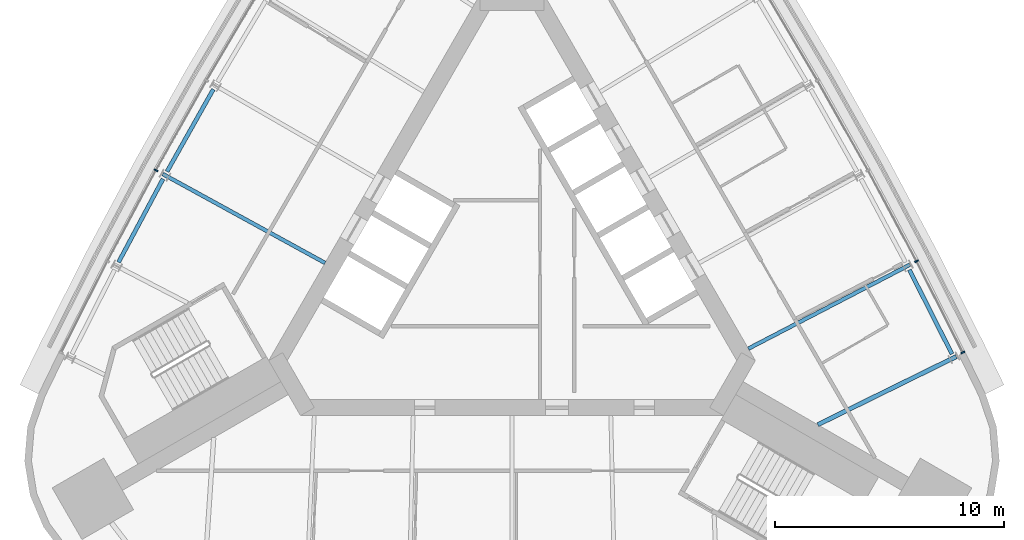
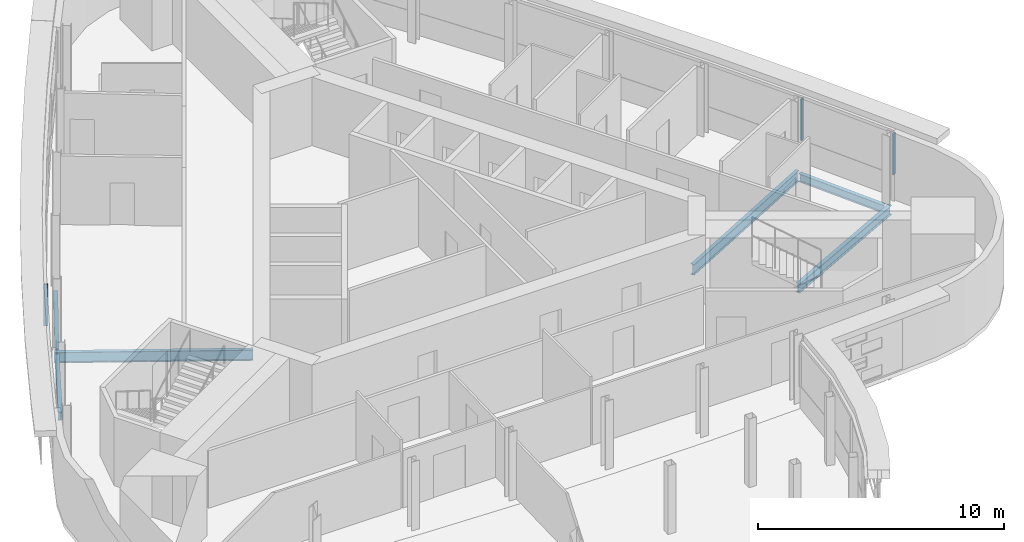
# One storey, part 5 of 14: 6 beams, 3 members, 2 elements without a shape of their own.
"""IFC4 building model written with IfcOpenShell, lengths in metres."""

from ifc_helpers import new_model, si_unit, direction, frame, origin, origin_2d, place, context, subcontext, project, spatial, rectangle, i_section, extrude, material, material_profile, profile_set, type_object, element, aggregate, save


model = new_model("IFC4")

# Units and contexts
model_context = context("Model", 3, precision=1e-05, world=origin(), true_north=direction((0.0, 1.0)))
body_context = subcontext(model_context, "Body", "Model", "MODEL_VIEW")
ifc_project = project(units=[si_unit("LENGTHUNIT", "METRE"), si_unit("AREAUNIT", "SQUARE_METRE"), si_unit("VOLUMEUNIT", "CUBIC_METRE"), si_unit("PLANEANGLEUNIT", "RADIAN"), si_unit("MASSUNIT", "GRAM", prefix="KILO")], contexts=[model_context])

# Site, building, storey
site_placement = place(None, origin())
site = spatial("IfcSite", under=ifc_project, at=site_placement, CompositionType="ELEMENT")
building_placement = place(site_placement, origin())
building = spatial("IfcBuilding", under=site, at=building_placement, Name="Noor Cloister Tower", CompositionType="ELEMENT")
storey_placement = place(building_placement, frame((0.0, 0.0, 222.0)))
storey = spatial("IfcBuildingStorey", under=building, at=storey_placement, Name="L57", CompositionType="ELEMENT", Elevation=222.0)

# Curtain wall, member
ifc_material_1 = material(Name="Aluminium 6063-T6 anodised", Category="aluminium")
curtain_wall_type = type_object("IfcCurtainWallType", Name="Ribbon curtain wall, upper tower CW5", PredefinedType="NOTDEFINED", material=ifc_material_1)
curtain_wall_1_placement = place(storey_placement, origin())
curtain_wall_1 = element("IfcCurtainWall", 1, at=curtain_wall_1_placement, inside=storey, type_object=curtain_wall_type, Name="CW5 L57 NW run 1", PredefinedType="NOTDEFINED")
ifc_material_2 = material(Name="Aluminium 6063-T6 anodised", Category="aluminium")
ifc_material_profile_1 = material_profile(ifc_material_2, rectangle(XDim=0.179931640625, YDim=0.070068359375, at=origin_2d()), Name="180 x 70 mullion")
ifc_profile_set_1 = profile_set([ifc_material_profile_1], Name="Aluminium 6063-T6 anodised")
member_type = type_object("IfcMemberType", Name="Mullion CW5 70 x 180", PredefinedType="MULLION", material=ifc_profile_set_1)
member_1_placement = place(storey_placement, frame((-15.5341796875, 3.775390625, 1.10009765625), z_axis=(0.0, 0.0, 1.0), x_axis=(0.8768790948, -0.480710987083, 0.0)))
member_1 = element("IfcMember", 2, at=member_1_placement, type_object=member_type, Name="CW5 mullion 5", PredefinedType="MULLION", context=body_context, shape_type="SweptSolid", body=[
    extrude(rectangle(XDim=0.179931640625, YDim=0.070068359375, at=origin_2d()), origin(), (0.0, 0.0, 1.0), 2.0498046875),
])
aggregate(curtain_wall_1, [member_1])

# Curtain wall, members
curtain_wall_2_placement = place(storey_placement, origin())
curtain_wall_2 = element("IfcCurtainWall", 3, at=curtain_wall_2_placement, inside=storey, type_object=curtain_wall_type, Name="CW5 L57 NE run 4", PredefinedType="NOTDEFINED")
member_2_placement = place(storey_placement, frame((19.667236328125, -4.175537109375, 1.10009765625), z_axis=(0.0, 0.0, 1.0), x_axis=(-0.892352618471, -0.451338901833, 0.0)))
member_2 = element("IfcMember", 4, at=member_2_placement, type_object=member_type, Name="CW5 mullion 1", PredefinedType="MULLION", context=body_context, shape_type="SweptSolid", body=[
    extrude(rectangle(XDim=0.179931640625, YDim=0.070068359375, at=origin_2d()), origin(), (0.0, 0.0, 1.0), 2.0498046875),
])
member_3_placement = place(storey_placement, frame((17.652587890625, -0.192138671875, 1.10009765625), z_axis=(0.0, 0.0, 1.0), x_axis=(-0.887303238306, -0.461186473449, 0.0)))
member_3 = element("IfcMember", 5, at=member_3_placement, type_object=member_type, Name="CW5 mullion 2", PredefinedType="MULLION", context=body_context, shape_type="SweptSolid", body=[
    extrude(rectangle(XDim=0.179931640625, YDim=0.070068359375, at=origin_2d()), origin(), (0.0, 0.0, 1.0), 2.0498046875),
])
aggregate(curtain_wall_2, [member_2, member_3])

# Beams
ifc_material_3 = material(Name="Steel ASTM A992 Gr 50", Category="steel")
ifc_material_profile_2 = material_profile(ifc_material_3, i_section(OverallWidth=0.19091796875, OverallDepth=0.45703125, WebThickness=0.009033203125, FlangeThickness=0.014404296875, FilletRadius=0.01025390625, at=origin_2d()), Name="W460x74")
ifc_profile_set_2 = profile_set([ifc_material_profile_2], Name="Steel ASTM A992 Gr 50")
beam_type_1 = type_object("IfcBeamType", Name="Radial beam W460x74", PredefinedType="BEAM", material=ifc_profile_set_2)
beam_1_placement = place(storey_placement, frame((19.3828125, -4.35302734375, -0.428466796875), z_axis=(-0.897293950697, -0.44143353525, 0.0), x_axis=(0.44143353525, -0.897293950697, 0.0)))
element("IfcBeam", 6, at=beam_1_placement, inside=storey, type_object=beam_type_1, Name="Radial beam NE 01 L57", PredefinedType="BEAM", context=body_context, shape_type="SweptSolid", body=[
    extrude(i_section(OverallWidth=0.19091796875, OverallDepth=0.45703125, WebThickness=0.009033203125, FlangeThickness=0.014404296875, FilletRadius=0.01025390625, at=origin_2d()), origin(), (0.0, 0.0, 1.0), 6.735107421875),
])
ifc_material_4 = material(Name="Steel ASTM A992 Gr 50", Category="steel")
ifc_material_profile_3 = material_profile(ifc_material_4, i_section(OverallWidth=0.166015625, OverallDepth=0.528076171875, WebThickness=0.009765625, FlangeThickness=0.013671875, FilletRadius=0.0126953125, at=origin_2d()), Name="W530x74")
ifc_profile_set_3 = profile_set([ifc_material_profile_3], Name="Steel ASTM A992 Gr 50")
beam_type_2 = type_object("IfcBeamType", Name="Radial beam W530x74", PredefinedType="BEAM", material=ifc_profile_set_3)
beam_2_placement = place(storey_placement, frame((-15.2412109375, 3.614990234375, -0.464111328125), z_axis=(0.876874036138, -0.480720214623, 0.0), x_axis=(0.480720214623, 0.876874036138, 0.0)))
element("IfcBeam", 7, at=beam_2_placement, inside=storey, type_object=beam_type_2, Name="Radial beam NW 05 L57", PredefinedType="BEAM", context=body_context, shape_type="SweptSolid", body=[
    extrude(i_section(OverallWidth=0.166015625, OverallDepth=0.528076171875, WebThickness=0.009765625, FlangeThickness=0.013671875, FilletRadius=0.0126953125, at=origin_2d()), origin(), (0.0, 0.0, 1.0), 8.08056640625),
])
beam_3_placement = place(storey_placement, frame((17.356201171875, -0.34619140625, -0.464111328125), z_axis=(-0.887304410433, -0.461184218318, 0.0), x_axis=(0.461184218318, -0.887304410433, 0.0)))
element("IfcBeam", 8, at=beam_3_placement, inside=storey, type_object=beam_type_2, Name="Radial beam NE 02 L57", PredefinedType="BEAM", context=body_context, shape_type="SweptSolid", body=[
    extrude(i_section(OverallWidth=0.166015625, OverallDepth=0.528076171875, WebThickness=0.009765625, FlangeThickness=0.013671875, FilletRadius=0.0126953125, at=origin_2d()), origin(), (0.0, 0.0, 1.0), 7.9375),
])
ifc_material_5 = material(Name="Steel ASTM A992 Gr 50", Category="steel")
ifc_material_profile_4 = material_profile(ifc_material_5, i_section(OverallWidth=0.177978515625, OverallDepth=0.406005859375, WebThickness=0.0078125, FlangeThickness=0.0126953125, FilletRadius=0.01025390625, at=origin_2d()), Name="W410x60")
ifc_profile_set_4 = profile_set([ifc_material_profile_4], Name="Steel ASTM A992 Gr 50")
beam_type_3 = type_object("IfcBeamType", Name="Spandrel beam W410x60", PredefinedType="SPANDREL", material=ifc_profile_set_4)
beam_4_placement = place(storey_placement, frame((-13.0302734375, 7.3076171875, -0.403076171875), z_axis=(-0.490396452129, -0.871499466288, 0.0), x_axis=(0.871499466288, -0.490396452129, 0.0)))
element("IfcBeam", 9, at=beam_4_placement, inside=storey, type_object=beam_type_3, Name="Spandrel beam NW 04 L57", PredefinedType="SPANDREL", context=body_context, shape_type="SweptSolid", body=[
    extrude(i_section(OverallWidth=0.177978515625, OverallDepth=0.406005859375, WebThickness=0.0078125, FlangeThickness=0.0126953125, FilletRadius=0.01025390625, at=origin_2d()), origin(), (0.0, 0.0, 1.0), 4.11474609375),
])
for number, where, z_axis, x_axis, name in (
    (10, (-15.227294921875, 3.39453125, -0.403076171875), (-0.471000859452, -0.882132751005, 0.0), (0.882132751005, -0.471000859452, 0.0), "Spandrel beam NW 05 L57"),
    (11, (19.194580078125, -4.23779296875, -0.403076171875), (-0.451362231773, 0.892340818146, 0.0), (-0.892340818146, -0.451362231773, 0.0), "Spandrel beam NE 01 L57"),
):
    element("IfcBeam", number, at=place(storey_placement, frame(where, z_axis=z_axis, x_axis=x_axis)), inside=storey, type_object=beam_type_3, Name=name, PredefinedType="SPANDREL", context=body_context, shape_type="SweptSolid", body=[
        extrude(i_section(OverallWidth=0.177978515625, OverallDepth=0.406005859375, WebThickness=0.0078125, FlangeThickness=0.0126953125, FilletRadius=0.01025390625, at=origin_2d()), origin(), (0.0, 0.0, 1.0), 4.114501953125),
    ])

save(model, "model.ifc")
